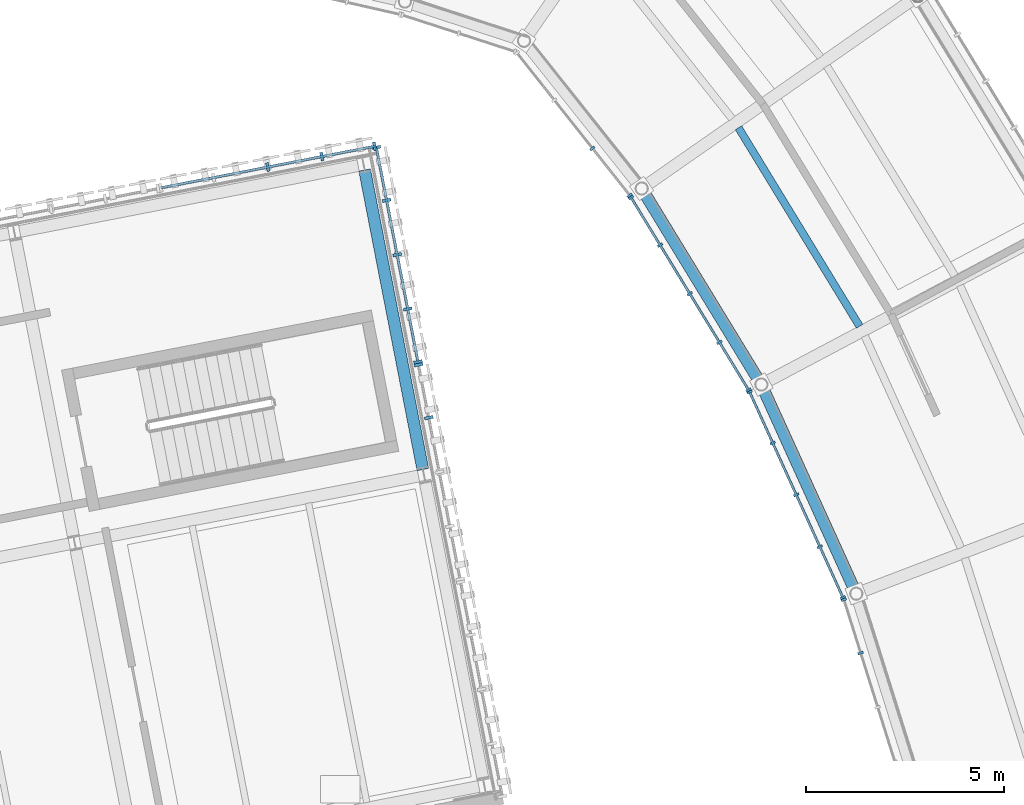
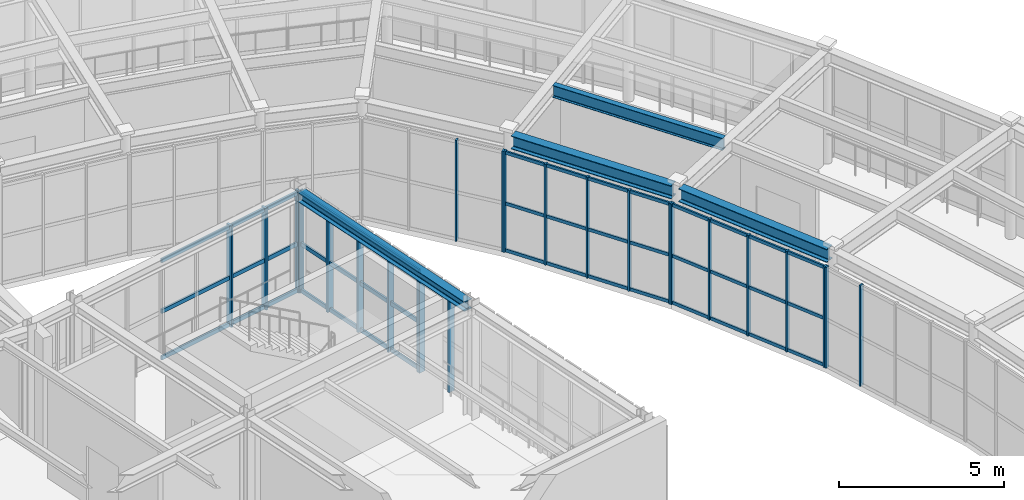
# One storey, part 46 of 103: 36 members, 4 beams, 7 elements without a shape of their own.
"""IFC4 building model written with IfcOpenShell, lengths in metres."""

from ifc_helpers import new_model, si_unit, direction, frame, origin, origin_2d, place, context, subcontext, project, spatial, rectangle, i_section, extrude, material, material_profile, profile_set, type_object, element, aggregate, save


model = new_model("IFC4")

# Units and contexts
model_context = context("Model", 3, precision=1e-05, world=origin(), true_north=direction((0.0, 1.0)))
body_context = subcontext(model_context, "Body", "Model", "MODEL_VIEW")
ifc_project = project(units=[si_unit("LENGTHUNIT", "METRE"), si_unit("AREAUNIT", "SQUARE_METRE"), si_unit("VOLUMEUNIT", "CUBIC_METRE"), si_unit("PLANEANGLEUNIT", "RADIAN"), si_unit("MASSUNIT", "GRAM", prefix="KILO")], contexts=[model_context])

# Site, building, storey
site_placement = place(None, origin())
site = spatial("IfcSite", under=ifc_project, at=site_placement, CompositionType="ELEMENT")
building_placement = place(site_placement, origin())
building = spatial("IfcBuilding", under=site, at=building_placement, Name="Varnklinge Art Gallery", CompositionType="ELEMENT")
storey_placement = place(building_placement, frame((0.0, 0.0, 5.10009765625)))
storey = spatial("IfcBuildingStorey", under=building, at=storey_placement, Name="L01", CompositionType="ELEMENT", Elevation=5.10009765625)

# Beam
ifc_material_1 = material(Name="Steel S355", Category="steel")
ifc_material_profile_1 = material_profile(ifc_material_1, i_section(OverallWidth=0.18994140625, OverallDepth=0.449951171875, WebThickness=0.009521484375, FlangeThickness=0.0146484375, FilletRadius=0.02099609375, at=origin_2d()), Name="IPE 450")
ifc_profile_set_1 = profile_set([ifc_material_profile_1], Name="Steel S355")
beam_type_1 = type_object("IfcBeamType", Name="JST-04", PredefinedType="JOIST", material=ifc_profile_set_1)
beam_1_placement = place(storey_placement, frame((99.67578125, 78.819580078125, 3.954833984375), z_axis=(-0.520951279717, 0.853586412826, 0.0), x_axis=(-0.853586412826, -0.520951279717, 0.0)))
element("IfcBeam", 1, at=beam_1_placement, inside=storey, type_object=beam_type_1, Name="L01 JST-04 JST-V2-L02-11-2", PredefinedType="JOIST", context=body_context, shape_type="SweptSolid", body=[
    extrude(i_section(OverallWidth=0.18994140625, OverallDepth=0.449951171875, WebThickness=0.009521484375, FlangeThickness=0.0146484375, FilletRadius=0.02099609375, at=origin_2d()), origin(), (0.0, 0.0, 1.0), 5.8818359375),
])

# Curtain wall, members
ifc_material_2 = material(Name="Anodised Aluminium", Category="aluminium")
curtain_wall_type_1 = type_object("IfcCurtainWallType", Name="CW-L06", PredefinedType="USERDEFINED", material=ifc_material_2)
curtain_wall_1_placement = place(storey_placement, origin())
curtain_wall_1 = element("IfcCurtainWall", 2, at=curtain_wall_1_placement, inside=storey, type_object=curtain_wall_type_1, Name="L01 Curtain Wall CW-V4B-L01-2-1-2", ObjectType="UNITISED CURTAIN WALL", PredefinedType="USERDEFINED")
ifc_material_3 = material(Name="Anodised Aluminium", Category="aluminium")
ifc_material_profile_2 = material_profile(ifc_material_3, rectangle(XDim=0.074951171875, YDim=0.219970703125, at=origin_2d()), Name="ALU 75x220")
ifc_profile_set_2 = profile_set([ifc_material_profile_2], Name="Anodised Aluminium")
member_type_1 = type_object("IfcMemberType", Name="MUL-02", PredefinedType="MULLION", material=ifc_profile_set_2)
member_1_placement = place(storey_placement, frame((88.779296875, 76.50732421875, 0.0), z_axis=(0.0, 0.0, 1.0), x_axis=(-0.190808995377, 0.981627183448, 0.0)))
member_1 = element("IfcMember", 3, at=member_1_placement, type_object=member_type_1, Name="CW-V4B-L01-2-1-2 Mullion 4", PredefinedType="MULLION", context=body_context, shape_type="SweptSolid", body=[
    extrude(rectangle(XDim=0.074951171875, YDim=0.219970703125, at=origin_2d()), origin(), (0.0, 0.0, 1.0), 3.75),
])
member_2_placement = place(storey_placement, frame((88.519287109375, 77.844970703125, 0.0), z_axis=(0.0, 0.0, 1.0), x_axis=(-0.190808995377, 0.981627183448, 0.0)))
member_2 = element("IfcMember", 4, at=member_2_placement, type_object=member_type_1, Name="CW-V4B-L01-2-1-2 Mullion 5", PredefinedType="MULLION", context=body_context, shape_type="SweptSolid", body=[
    extrude(rectangle(XDim=0.074951171875, YDim=0.219970703125, at=origin_2d()), origin(), (0.0, 0.0, 1.0), 3.75),
])
aggregate(curtain_wall_1, [member_1, member_2])

curtain_wall_2_placement = place(storey_placement, origin())
curtain_wall_2 = element("IfcCurtainWall", 5, at=curtain_wall_2_placement, inside=storey, type_object=curtain_wall_type_1, Name="L01 Curtain Wall CW-V4B-L01-2-1-3", ObjectType="UNITISED CURTAIN WALL", PredefinedType="USERDEFINED")
member_3_placement = place(storey_placement, frame((88.5048828125, 77.91845703125, 0.0), z_axis=(0.0, 0.0, 1.0), x_axis=(-0.190808995377, 0.981627183448, 0.0)))
member_3 = element("IfcMember", 6, at=member_3_placement, type_object=member_type_1, Name="CW-V4B-L01-2-1-3 Mullion 1", PredefinedType="MULLION", context=body_context, shape_type="SweptSolid", body=[
    extrude(rectangle(XDim=0.074951171875, YDim=0.219970703125, at=origin_2d()), origin(), (0.0, 0.0, 1.0), 3.75),
])
member_4_placement = place(storey_placement, frame((88.2451171875, 79.256103515625, 0.0), z_axis=(0.0, 0.0, 1.0), x_axis=(-0.190808995377, 0.981627183448, 0.0)))
member_4 = element("IfcMember", 7, at=member_4_placement, type_object=member_type_1, Name="CW-V4B-L01-2-1-3 Mullion 2", PredefinedType="MULLION", context=body_context, shape_type="SweptSolid", body=[
    extrude(rectangle(XDim=0.074951171875, YDim=0.219970703125, at=origin_2d()), origin(), (0.0, 0.0, 1.0), 3.75),
])
member_5_placement = place(storey_placement, frame((87.97802734375, 80.630126953125, 0.0), z_axis=(0.0, 0.0, 1.0), x_axis=(-0.190808995377, 0.981627183448, 0.0)))
member_5 = element("IfcMember", 8, at=member_5_placement, type_object=member_type_1, Name="CW-V4B-L01-2-1-3 Mullion 3", PredefinedType="MULLION", context=body_context, shape_type="SweptSolid", body=[
    extrude(rectangle(XDim=0.074951171875, YDim=0.219970703125, at=origin_2d()), origin(), (0.0, 0.0, 1.0), 3.75),
])
member_6_placement = place(storey_placement, frame((87.710693359375, 82.00439453125, 0.0), z_axis=(0.0, 0.0, 1.0), x_axis=(-0.190808995377, 0.981627183448, 0.0)))
member_6 = element("IfcMember", 9, at=member_6_placement, type_object=member_type_1, Name="CW-V4B-L01-2-1-3 Mullion 4", PredefinedType="MULLION", context=body_context, shape_type="SweptSolid", body=[
    extrude(rectangle(XDim=0.074951171875, YDim=0.219970703125, at=origin_2d()), origin(), (0.0, 0.0, 1.0), 3.75),
])
member_7_placement = place(storey_placement, frame((87.450927734375, 83.342041015625, 0.0), z_axis=(0.0, 0.0, 1.0), x_axis=(-0.190808995377, 0.981627183448, 0.0)))
member_7 = element("IfcMember", 10, at=member_7_placement, type_object=member_type_1, Name="CW-V4B-L01-2-1-3 Mullion 5", PredefinedType="MULLION", context=body_context, shape_type="SweptSolid", body=[
    extrude(rectangle(XDim=0.074951171875, YDim=0.219970703125, at=origin_2d()), origin(), (0.0, 0.0, 1.0), 3.75),
])

curtain_wall_3_placement = place(storey_placement, origin())
curtain_wall_3 = element("IfcCurtainWall", 11, at=curtain_wall_3_placement, inside=storey, type_object=curtain_wall_type_1, Name="L01 Curtain Wall CW-V4B-L01-3-1-1", ObjectType="UNITISED CURTAIN WALL", PredefinedType="USERDEFINED")
member_8_placement = place(storey_placement, frame((87.406982421875, 83.37158203125, 0.0), z_axis=(0.0, 0.0, 1.0), x_axis=(-0.981627183448, -0.190808995377, 0.0)))
member_8 = element("IfcMember", 12, at=member_8_placement, type_object=member_type_1, Name="CW-V4B-L01-3-1-1 Mullion 1", PredefinedType="MULLION", context=body_context, shape_type="SweptSolid", body=[
    extrude(rectangle(XDim=0.074951171875, YDim=0.219970703125, at=origin_2d()), origin(), (0.0, 0.0, 1.0), 3.75),
])
member_9_placement = place(storey_placement, frame((86.0732421875, 83.1123046875, 0.0), z_axis=(0.0, 0.0, 1.0), x_axis=(-0.981627183448, -0.190808995377, 0.0)))
member_9 = element("IfcMember", 13, at=member_9_placement, type_object=member_type_1, Name="CW-V4B-L01-3-1-1 Mullion 2", PredefinedType="MULLION", context=body_context, shape_type="SweptSolid", body=[
    extrude(rectangle(XDim=0.074951171875, YDim=0.219970703125, at=origin_2d()), origin(), (0.0, 0.0, 1.0), 3.75),
])
member_10_placement = place(storey_placement, frame((84.702880859375, 82.845947265625, 0.0), z_axis=(0.0, 0.0, 1.0), x_axis=(-0.981627183448, -0.190808995377, 0.0)))
member_10 = element("IfcMember", 14, at=member_10_placement, type_object=member_type_1, Name="CW-V4B-L01-3-1-1 Mullion 3", PredefinedType="MULLION", context=body_context, shape_type="SweptSolid", body=[
    extrude(rectangle(XDim=0.074951171875, YDim=0.219970703125, at=origin_2d()), origin(), (0.0, 0.0, 1.0), 3.75),
])

ifc_material_4 = material(Name="Anodised Aluminium", Category="aluminium")
curtain_wall_type_2 = type_object("IfcCurtainWallType", Name="CW-R04", PredefinedType="USERDEFINED", material=ifc_material_4)
curtain_wall_4_placement = place(storey_placement, origin())
curtain_wall_4 = element("IfcCurtainWall", 15, at=curtain_wall_4_placement, inside=storey, type_object=curtain_wall_type_2, Name="L01 Curtain Wall CW-V2I-L01-09", ObjectType="UNITISED CURTAIN WALL", PredefinedType="USERDEFINED")
ifc_material_5 = material(Name="Anodised Aluminium", Category="aluminium")
ifc_material_profile_3 = material_profile(ifc_material_5, rectangle(XDim=0.06005859375, YDim=0.139892578125, at=origin_2d()), Name="ALU 60x140")
ifc_profile_set_3 = profile_set([ifc_material_profile_3], Name="Anodised Aluminium")
member_type_2 = type_object("IfcMemberType", Name="MUL-03", PredefinedType="MULLION", material=ifc_profile_set_3)
member_11_placement = place(storey_placement, frame((99.2734375, 71.90087890625, 0.0), z_axis=(0.0, 0.0, 1.0), x_axis=(0.299706904751, -0.954031326134, 0.0)))
member_11 = element("IfcMember", 16, at=member_11_placement, type_object=member_type_2, Name="CW-V2I-L01-09 Mullion 1", PredefinedType="MULLION", context=body_context, shape_type="SweptSolid", body=[
    extrude(rectangle(XDim=0.06005859375, YDim=0.139892578125, at=origin_2d()), origin(), (0.0, 0.0, 1.0), 3.72998046875),
])
member_12_placement = place(storey_placement, frame((99.696533203125, 70.55419921875, 0.0), z_axis=(0.0, 0.0, 1.0), x_axis=(0.299706904751, -0.954031326134, 0.0)))
member_12 = element("IfcMember", 17, at=member_12_placement, type_object=member_type_2, Name="CW-V2I-L01-09 Mullion 2", PredefinedType="MULLION", context=body_context, shape_type="SweptSolid", body=[
    extrude(rectangle(XDim=0.06005859375, YDim=0.139892578125, at=origin_2d()), origin(), (0.0, 0.0, 1.0), 3.72998046875),
])
aggregate(curtain_wall_4, [member_11, member_12])

curtain_wall_5_placement = place(storey_placement, origin())
curtain_wall_5 = element("IfcCurtainWall", 18, at=curtain_wall_5_placement, inside=storey, type_object=curtain_wall_type_2, Name="L01 Curtain Wall CW-V2I-L01-10", ObjectType="UNITISED CURTAIN WALL", PredefinedType="USERDEFINED")
member_13_placement = place(storey_placement, frame((96.892578125, 77.153564453125, 0.0), z_axis=(0.0, 0.0, 1.0), x_axis=(0.413422293217, -0.910539404678, 0.0)))
member_13 = element("IfcMember", 19, at=member_13_placement, type_object=member_type_2, Name="CW-V2I-L01-10 Mullion 1", PredefinedType="MULLION", context=body_context, shape_type="SweptSolid", body=[
    extrude(rectangle(XDim=0.06005859375, YDim=0.139892578125, at=origin_2d()), origin(), (0.0, 0.0, 1.0), 3.72998046875),
])
member_14_placement = place(storey_placement, frame((97.476318359375, 75.867919921875, 0.0), z_axis=(0.0, 0.0, 1.0), x_axis=(0.413422293217, -0.910539404678, 0.0)))
member_14 = element("IfcMember", 20, at=member_14_placement, type_object=member_type_2, Name="CW-V2I-L01-10 Mullion 2", PredefinedType="MULLION", context=body_context, shape_type="SweptSolid", body=[
    extrude(rectangle(XDim=0.06005859375, YDim=0.139892578125, at=origin_2d()), origin(), (0.0, 0.0, 1.0), 3.72998046875),
])
member_15_placement = place(storey_placement, frame((98.072509765625, 74.55517578125, 0.0), z_axis=(0.0, 0.0, 1.0), x_axis=(0.413422293217, -0.910539404678, 0.0)))
member_15 = element("IfcMember", 21, at=member_15_placement, type_object=member_type_2, Name="CW-V2I-L01-10 Mullion 3", PredefinedType="MULLION", context=body_context, shape_type="SweptSolid", body=[
    extrude(rectangle(XDim=0.06005859375, YDim=0.139892578125, at=origin_2d()), origin(), (0.0, 0.0, 1.0), 3.72998046875),
])
member_16_placement = place(storey_placement, frame((98.66845703125, 73.242431640625, 0.0), z_axis=(0.0, 0.0, 1.0), x_axis=(0.413422293217, -0.910539404678, 0.0)))
member_16 = element("IfcMember", 22, at=member_16_placement, type_object=member_type_2, Name="CW-V2I-L01-10 Mullion 4", PredefinedType="MULLION", context=body_context, shape_type="SweptSolid", body=[
    extrude(rectangle(XDim=0.06005859375, YDim=0.139892578125, at=origin_2d()), origin(), (0.0, 0.0, 1.0), 3.72998046875),
])
member_17_placement = place(storey_placement, frame((99.251953125, 71.956787109375, 0.0), z_axis=(0.0, 0.0, 1.0), x_axis=(0.413422293217, -0.910539404678, 0.0)))
member_17 = element("IfcMember", 23, at=member_17_placement, type_object=member_type_2, Name="CW-V2I-L01-10 Mullion 5", PredefinedType="MULLION", context=body_context, shape_type="SweptSolid", body=[
    extrude(rectangle(XDim=0.06005859375, YDim=0.139892578125, at=origin_2d()), origin(), (0.0, 0.0, 1.0), 3.72998046875),
])

curtain_wall_6_placement = place(storey_placement, origin())
curtain_wall_6 = element("IfcCurtainWall", 24, at=curtain_wall_6_placement, inside=storey, type_object=curtain_wall_type_2, Name="L01 Curtain Wall CW-V2I-L01-11", ObjectType="UNITISED CURTAIN WALL", PredefinedType="USERDEFINED")
member_18_placement = place(storey_placement, frame((93.8916015625, 82.077880859375, 0.0), z_axis=(0.0, 0.0, 1.0), x_axis=(0.520860651188, -0.85364171761, 0.0)))
member_18 = element("IfcMember", 25, at=member_18_placement, type_object=member_type_2, Name="CW-V2I-L01-11 Mullion 1", PredefinedType="MULLION", context=body_context, shape_type="SweptSolid", body=[
    extrude(rectangle(XDim=0.06005859375, YDim=0.139892578125, at=origin_2d()), origin(), (0.0, 0.0, 1.0), 3.72998046875),
])
member_19_placement = place(storey_placement, frame((94.627197265625, 80.872802734375, 0.0), z_axis=(0.0, 0.0, 1.0), x_axis=(0.520860651188, -0.85364171761, 0.0)))
member_19 = element("IfcMember", 26, at=member_19_placement, type_object=member_type_2, Name="CW-V2I-L01-11 Mullion 2", PredefinedType="MULLION", context=body_context, shape_type="SweptSolid", body=[
    extrude(rectangle(XDim=0.06005859375, YDim=0.139892578125, at=origin_2d()), origin(), (0.0, 0.0, 1.0), 3.72998046875),
])
member_20_placement = place(storey_placement, frame((95.378173828125, 79.64208984375, 0.0), z_axis=(0.0, 0.0, 1.0), x_axis=(0.520860651188, -0.85364171761, 0.0)))
member_20 = element("IfcMember", 27, at=member_20_placement, type_object=member_type_2, Name="CW-V2I-L01-11 Mullion 3", PredefinedType="MULLION", context=body_context, shape_type="SweptSolid", body=[
    extrude(rectangle(XDim=0.06005859375, YDim=0.139892578125, at=origin_2d()), origin(), (0.0, 0.0, 1.0), 3.72998046875),
])
member_21_placement = place(storey_placement, frame((96.129150390625, 78.41162109375, 0.0), z_axis=(0.0, 0.0, 1.0), x_axis=(0.520860651188, -0.85364171761, 0.0)))
member_21 = element("IfcMember", 28, at=member_21_placement, type_object=member_type_2, Name="CW-V2I-L01-11 Mullion 4", PredefinedType="MULLION", context=body_context, shape_type="SweptSolid", body=[
    extrude(rectangle(XDim=0.06005859375, YDim=0.139892578125, at=origin_2d()), origin(), (0.0, 0.0, 1.0), 3.72998046875),
])
member_22_placement = place(storey_placement, frame((96.86474609375, 77.206298828125, 0.0), z_axis=(0.0, 0.0, 1.0), x_axis=(0.520860651188, -0.85364171761, 0.0)))
member_22 = element("IfcMember", 29, at=member_22_placement, type_object=member_type_2, Name="CW-V2I-L01-11 Mullion 5", PredefinedType="MULLION", context=body_context, shape_type="SweptSolid", body=[
    extrude(rectangle(XDim=0.06005859375, YDim=0.139892578125, at=origin_2d()), origin(), (0.0, 0.0, 1.0), 3.72998046875),
])

curtain_wall_7_placement = place(storey_placement, origin())
curtain_wall_7 = element("IfcCurtainWall", 30, at=curtain_wall_7_placement, inside=storey, type_object=curtain_wall_type_2, Name="L01 Curtain Wall CW-V2I-L01-12", ObjectType="UNITISED CURTAIN WALL", PredefinedType="USERDEFINED")
member_23_placement = place(storey_placement, frame((92.91259765625, 83.3203125, 0.0), z_axis=(0.0, 0.0, 1.0), x_axis=(0.620737354217, -0.784018582101, 0.0)))
member_23 = element("IfcMember", 31, at=member_23_placement, type_object=member_type_2, Name="CW-V2I-L01-12 Mullion 3", PredefinedType="MULLION", context=body_context, shape_type="SweptSolid", body=[
    extrude(rectangle(XDim=0.06005859375, YDim=0.139892578125, at=origin_2d()), origin(), (0.0, 0.0, 1.0), 3.72998046875),
])
member_24_placement = place(storey_placement, frame((93.857421875, 82.127197265625, 0.0), z_axis=(0.0, 0.0, 1.0), x_axis=(0.620737354217, -0.784018582101, 0.0)))
member_24 = element("IfcMember", 32, at=member_24_placement, type_object=member_type_2, Name="CW-V2I-L01-12 Mullion 4", PredefinedType="MULLION", context=body_context, shape_type="SweptSolid", body=[
    extrude(rectangle(XDim=0.06005859375, YDim=0.139892578125, at=origin_2d()), origin(), (0.0, 0.0, 1.0), 3.72998046875),
])
aggregate(curtain_wall_7, [member_23, member_24])

# Beams
ifc_material_6 = material(Name="Steel S355", Category="steel")
ifc_material_profile_4 = material_profile(ifc_material_6, i_section(OverallWidth=0.300048828125, OverallDepth=0.489990234375, WebThickness=0.011962890625, FlangeThickness=0.02294921875, FilletRadius=0.027099609375, at=origin_2d()), Name="HEA 500")
ifc_profile_set_4 = profile_set([ifc_material_profile_4], Name="Steel S355")
beam_type_2 = type_object("IfcBeamType", Name="SPB-01", PredefinedType="SPANDREL", material=ifc_profile_set_4)
beam_2_placement = place(storey_placement, frame((99.533447265625, 72.18212890625, 3.934814453125), z_axis=(-0.413397065821, 0.910550858531, 0.0), x_axis=(-0.910550858531, -0.413397065821, 0.0)))
element("IfcBeam", 33, at=beam_2_placement, inside=storey, type_object=beam_type_2, Name="L01 SPB-01 BM-V2-L02-I10", PredefinedType="SPANDREL", context=body_context, shape_type="SweptSolid", body=[
    extrude(i_section(OverallWidth=0.300048828125, OverallDepth=0.489990234375, WebThickness=0.011962890625, FlangeThickness=0.02294921875, FilletRadius=0.027099609375, at=origin_2d()), origin(), (0.0, 0.0, 1.0), 5.529541015625),
])
beam_3_placement = place(storey_placement, frame((97.11669921875, 77.464111328125, 3.934814453125), z_axis=(-0.520928443414, 0.853600349603, 0.0), x_axis=(-0.853600349603, -0.520928443414, 0.0)))
element("IfcBeam", 34, at=beam_3_placement, inside=storey, type_object=beam_type_2, Name="L01 SPB-01 BM-V2-L02-I11", PredefinedType="SPANDREL", context=body_context, shape_type="SweptSolid", body=[
    extrude(i_section(OverallWidth=0.300048828125, OverallDepth=0.489990234375, WebThickness=0.011962890625, FlangeThickness=0.02294921875, FilletRadius=0.027099609375, at=origin_2d()), origin(), (0.0, 0.0, 1.0), 5.52978515625),
])
ifc_material_7 = material(Name="Steel S355", Category="steel")
ifc_material_profile_5 = material_profile(ifc_material_7, i_section(OverallWidth=0.300048828125, OverallDepth=0.35009765625, WebThickness=0.010009765625, FlangeThickness=0.017578125, FilletRadius=0.027099609375, at=origin_2d()), Name="HEA 360")
ifc_profile_set_5 = profile_set([ifc_material_profile_5], Name="Steel S355")
beam_type_3 = type_object("IfcBeamType", Name="SPB-04", PredefinedType="SPANDREL", material=ifc_profile_set_5)
beam_4_placement = place(storey_placement, frame((88.627197265625, 75.194091796875, 4.02490234375), z_axis=(-0.190816333803, 0.981625756974, 0.0), x_axis=(-0.981625756974, -0.190816333803, 0.0)))
element("IfcBeam", 35, at=beam_4_placement, inside=storey, type_object=beam_type_3, Name="L01 SPB-04 BM-V4B-L02-V3-1", PredefinedType="SPANDREL", context=body_context, shape_type="SweptSolid", body=[
    extrude(i_section(OverallWidth=0.300048828125, OverallDepth=0.35009765625, WebThickness=0.010009765625, FlangeThickness=0.017578125, FilletRadius=0.027099609375, at=origin_2d()), origin(), (0.0, 0.0, 1.0), 7.72021484375),
])

# Member
ifc_material_8 = material(Name="Anodised Aluminium", Category="aluminium")
ifc_material_profile_6 = material_profile(ifc_material_8, rectangle(XDim=0.06494140625, YDim=0.14990234375, at=origin_2d()), Name="ALU 65x150")
ifc_profile_set_6 = profile_set([ifc_material_profile_6], Name="Anodised Aluminium")
member_type_3 = type_object("IfcMemberType", Name="TRN-01", PredefinedType="USERDEFINED", material=ifc_profile_set_6)
member_25_placement = place(storey_placement, frame((88.5048828125, 77.91845703125, 0.074951171875), z_axis=(-0.190759664241, 0.981636771163, 0.0), x_axis=(-0.981636771163, -0.190759664241, 0.0)))
member_25 = element("IfcMember", 36, at=member_25_placement, type_object=member_type_3, Name="CW-V4B-L01-2-1-3 Transom 1", ObjectType="TRANSOM", PredefinedType="USERDEFINED", context=body_context, shape_type="SweptSolid", body=[
    extrude(rectangle(XDim=0.06494140625, YDim=0.14990234375, at=origin_2d()), origin(), (0.0, 0.0, 1.0), 5.525146484375),
])

member_26_placement = place(storey_placement, frame((88.5048828125, 77.91845703125, 1.7998046875), z_axis=(-0.190759664241, 0.981636771163, 0.0), x_axis=(-0.981636771163, -0.190759664241, 0.0)))
member_26 = element("IfcMember", 37, at=member_26_placement, type_object=member_type_3, Name="CW-V4B-L01-2-1-3 Transom 2", ObjectType="TRANSOM", PredefinedType="USERDEFINED", context=body_context, shape_type="SweptSolid", body=[
    extrude(rectangle(XDim=0.06494140625, YDim=0.14990234375, at=origin_2d()), origin(), (0.0, 0.0, 1.0), 5.525146484375),
])

member_27_placement = place(storey_placement, frame((88.5048828125, 77.91845703125, 3.6748046875), z_axis=(-0.190759664241, 0.981636771163, 0.0), x_axis=(-0.981636771163, -0.190759664241, 0.0)))
member_27 = element("IfcMember", 38, at=member_27_placement, type_object=member_type_3, Name="CW-V4B-L01-2-1-3 Transom 3", ObjectType="TRANSOM", PredefinedType="USERDEFINED", context=body_context, shape_type="SweptSolid", body=[
    extrude(rectangle(XDim=0.06494140625, YDim=0.14990234375, at=origin_2d()), origin(), (0.0, 0.0, 1.0), 5.525146484375),
])

aggregate(curtain_wall_2, [member_3, member_4, member_5, member_6, member_7, member_25, member_26, member_27])

member_28_placement = place(storey_placement, frame((87.406982421875, 83.37158203125, 0.074951171875), z_axis=(-0.981628071403, -0.190804427186, 0.0), x_axis=(0.190804427186, -0.981628071403, 0.0)))
member_28 = element("IfcMember", 39, at=member_28_placement, type_object=member_type_3, Name="CW-V4B-L01-3-1-1 Transom 1", ObjectType="TRANSOM", PredefinedType="USERDEFINED", context=body_context, shape_type="SweptSolid", body=[
    extrude(rectangle(XDim=0.06494140625, YDim=0.14990234375, at=origin_2d()), origin(), (0.0, 0.0, 1.0), 5.509765625),
])

member_29_placement = place(storey_placement, frame((87.406982421875, 83.37158203125, 1.7998046875), z_axis=(-0.981628071403, -0.190804427186, 0.0), x_axis=(0.190804427186, -0.981628071403, 0.0)))
member_29 = element("IfcMember", 40, at=member_29_placement, type_object=member_type_3, Name="CW-V4B-L01-3-1-1 Transom 2", ObjectType="TRANSOM", PredefinedType="USERDEFINED", context=body_context, shape_type="SweptSolid", body=[
    extrude(rectangle(XDim=0.06494140625, YDim=0.14990234375, at=origin_2d()), origin(), (0.0, 0.0, 1.0), 5.509765625),
])

member_30_placement = place(storey_placement, frame((87.406982421875, 83.37158203125, 3.6748046875), z_axis=(-0.981628071403, -0.190804427186, 0.0), x_axis=(0.190804427186, -0.981628071403, 0.0)))
member_30 = element("IfcMember", 41, at=member_30_placement, type_object=member_type_3, Name="CW-V4B-L01-3-1-1 Transom 3", ObjectType="TRANSOM", PredefinedType="USERDEFINED", context=body_context, shape_type="SweptSolid", body=[
    extrude(rectangle(XDim=0.06494140625, YDim=0.14990234375, at=origin_2d()), origin(), (0.0, 0.0, 1.0), 5.509765625),
])

aggregate(curtain_wall_3, [member_8, member_9, member_10, member_28, member_29, member_30])

ifc_material_9 = material(Name="Anodised Aluminium", Category="aluminium")
ifc_material_profile_7 = material_profile(ifc_material_9, rectangle(XDim=0.06005859375, YDim=0.1201171875, at=origin_2d()), Name="ALU 60x120")
ifc_profile_set_7 = profile_set([ifc_material_profile_7], Name="Anodised Aluminium")
member_type_4 = type_object("IfcMemberType", Name="TRN-02", PredefinedType="USERDEFINED", material=ifc_profile_set_7)
member_31_placement = place(storey_placement, frame((96.892578125, 77.153564453125, 0.059814453125), z_axis=(0.413396814736, -0.910550972525, 0.0), x_axis=(0.910550972525, 0.413396814736, 0.0)))
member_31 = element("IfcMember", 42, at=member_31_placement, type_object=member_type_4, Name="CW-V2I-L01-10 Transom 1", ObjectType="TRANSOM", PredefinedType="USERDEFINED", context=body_context, shape_type="SweptSolid", body=[
    extrude(rectangle(XDim=0.06005859375, YDim=0.1201171875, at=origin_2d()), origin(), (0.0, 0.0, 1.0), 5.707275390625),
])

member_32_placement = place(storey_placement, frame((96.892578125, 77.153564453125, 1.790283203125), z_axis=(0.413396814736, -0.910550972525, 0.0), x_axis=(0.910550972525, 0.413396814736, 0.0)))
member_32 = element("IfcMember", 43, at=member_32_placement, type_object=member_type_4, Name="CW-V2I-L01-10 Transom 2", ObjectType="TRANSOM", PredefinedType="USERDEFINED", context=body_context, shape_type="SweptSolid", body=[
    extrude(rectangle(XDim=0.06005859375, YDim=0.1201171875, at=origin_2d()), origin(), (0.0, 0.0, 1.0), 5.707275390625),
])

member_33_placement = place(storey_placement, frame((96.892578125, 77.153564453125, 3.669921875), z_axis=(0.413396814736, -0.910550972525, 0.0), x_axis=(0.910550972525, 0.413396814736, 0.0)))
member_33 = element("IfcMember", 44, at=member_33_placement, type_object=member_type_4, Name="CW-V2I-L01-10 Transom 3", ObjectType="TRANSOM", PredefinedType="USERDEFINED", context=body_context, shape_type="SweptSolid", body=[
    extrude(rectangle(XDim=0.06005859375, YDim=0.1201171875, at=origin_2d()), origin(), (0.0, 0.0, 1.0), 5.707275390625),
])

aggregate(curtain_wall_5, [member_13, member_14, member_15, member_16, member_17, member_31, member_32, member_33])

member_34_placement = place(storey_placement, frame((93.8916015625, 82.077880859375, 0.059814453125), z_axis=(0.520948121202, -0.853588340488, 0.0), x_axis=(0.853588340488, 0.520948121202, 0.0)))
member_34 = element("IfcMember", 45, at=member_34_placement, type_object=member_type_4, Name="CW-V2I-L01-11 Transom 1", ObjectType="TRANSOM", PredefinedType="USERDEFINED", context=body_context, shape_type="SweptSolid", body=[
    extrude(rectangle(XDim=0.06005859375, YDim=0.1201171875, at=origin_2d()), origin(), (0.0, 0.0, 1.0), 5.707275390625),
])

member_35_placement = place(storey_placement, frame((93.8916015625, 82.077880859375, 1.790283203125), z_axis=(0.520948121202, -0.853588340488, 0.0), x_axis=(0.853588340488, 0.520948121202, 0.0)))
member_35 = element("IfcMember", 46, at=member_35_placement, type_object=member_type_4, Name="CW-V2I-L01-11 Transom 2", ObjectType="TRANSOM", PredefinedType="USERDEFINED", context=body_context, shape_type="SweptSolid", body=[
    extrude(rectangle(XDim=0.06005859375, YDim=0.1201171875, at=origin_2d()), origin(), (0.0, 0.0, 1.0), 5.707275390625),
])

member_36_placement = place(storey_placement, frame((93.8916015625, 82.077880859375, 3.669921875), z_axis=(0.520948121202, -0.853588340488, 0.0), x_axis=(0.853588340488, 0.520948121202, 0.0)))
member_36 = element("IfcMember", 47, at=member_36_placement, type_object=member_type_4, Name="CW-V2I-L01-11 Transom 3", ObjectType="TRANSOM", PredefinedType="USERDEFINED", context=body_context, shape_type="SweptSolid", body=[
    extrude(rectangle(XDim=0.06005859375, YDim=0.1201171875, at=origin_2d()), origin(), (0.0, 0.0, 1.0), 5.707275390625),
])

aggregate(curtain_wall_6, [member_18, member_19, member_20, member_21, member_22, member_34, member_35, member_36])

save(model, "model.ifc")
